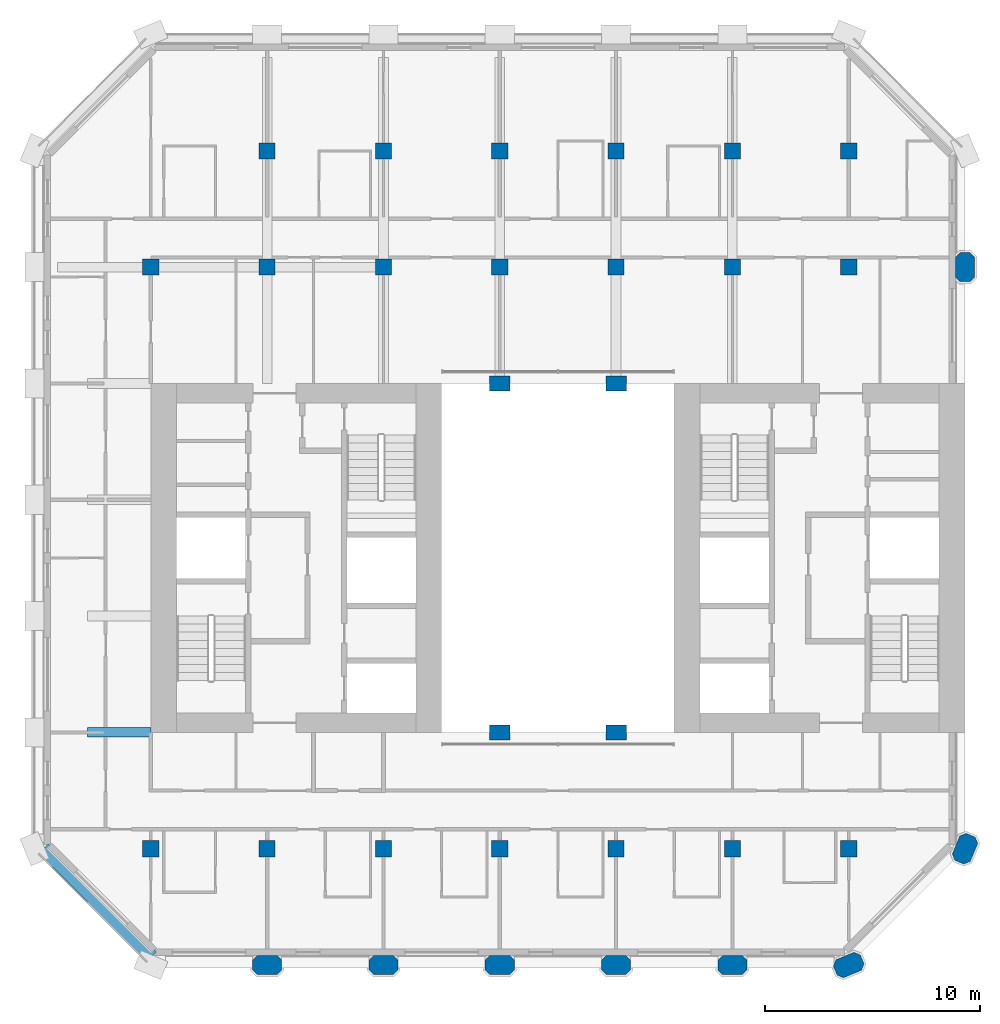
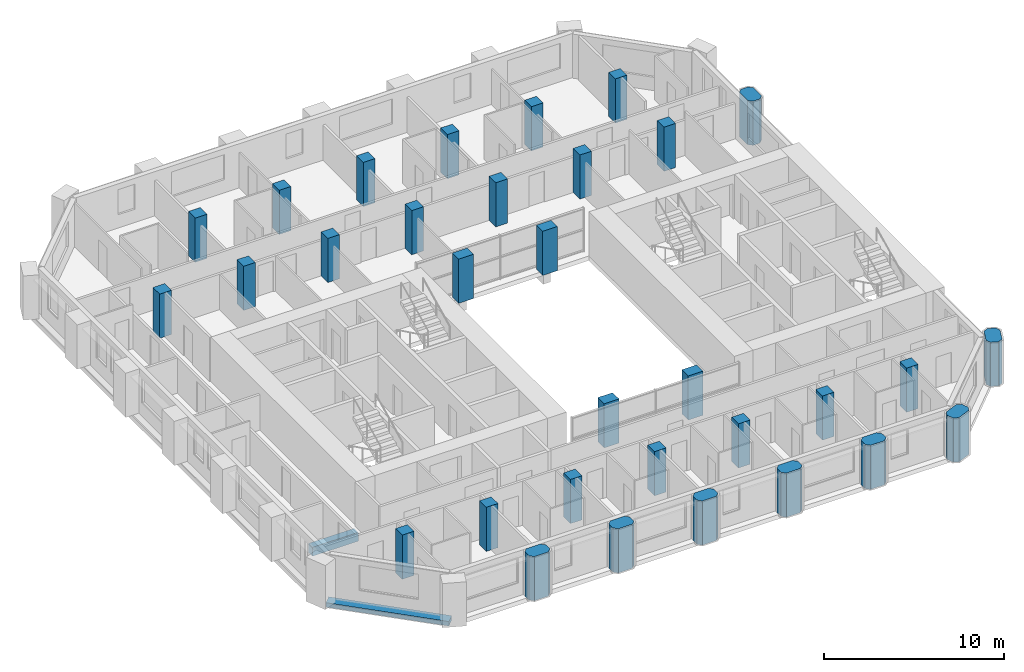
# One storey, part 1 of 14: 32 columns, 2 beams.
"""IFC4 building model written with IfcOpenShell, lengths in metres."""

import ifcopenshell
import ifcopenshell.guid

model = None  # the IFC model being written
_history = None  # IfcOwnerHistory: only IFC2X3 demands one
_inside = {}  # id of a spatial element -> (the spatial element, [elements in it])
_under = {}  # id of a project, library or spatial element -> (it, [spatial elements below it])
_declared = {}  # id of a project -> (the project, [libraries it declares])
_typed = {}  # id of a type object -> (the type object, [elements of that type])
_made_of = {}  # id of a material, layer set ... -> (it, [elements and type objects made of it])


def new_model(schema):
    """Start an empty IFC model of exactly this schema.

    Asked for "IFC4X3", IfcOpenShell would pick the latest addendum, in which some entities
    have other attributes; the version numbers below select the first issue.
    IFC2X3 requires an IfcOwnerHistory on every rooted entity: one is made here for all.
    """
    global model, _history
    if schema == "IFC4X3":
        model = ifcopenshell.file(schema_version=(4, 3, 0, 0))
    else:
        model = ifcopenshell.file(schema=schema)
    _inside.clear()
    _under.clear()
    _declared.clear()
    _typed.clear()
    _made_of.clear()
    _history = None
    if model.schema == "IFC2X3":
        org = make("IfcOrganization", Name="unknown")
        user = make(
            "IfcPersonAndOrganization",
            ThePerson=make("IfcPerson", FamilyName="unknown"),
            TheOrganization=org,
        )
        app = make(
            "IfcApplication",
            ApplicationDeveloper=org,
            Version="unknown",
            ApplicationFullName="unknown",
            ApplicationIdentifier="unknown",
        )
        _history = make(
            "IfcOwnerHistory",
            OwningUser=user,
            OwningApplication=app,
            ChangeAction="ADDED",
            CreationDate=0,
        )
    return model


def make(cls, **values):
    """One entity of the class cls with the attributes given. An attribute that is None is left unset."""
    return model.create_entity(
        cls, **{name: value for name, value in values.items() if value is not None}
    )


def rooted(cls, **values):
    """An entity with a GlobalId (a new one), such as an element, a storey or a relation."""
    return make(cls, GlobalId=ifcopenshell.guid.new(), OwnerHistory=_history, **values)


def si_unit(unit_type, name, prefix=None):
    """IfcSIUnit, for example si_unit("LENGTHUNIT", "METRE", prefix="MILLI")."""
    return make("IfcSIUnit", UnitType=unit_type, Prefix=prefix, Name=name)


def assignment(units):
    """IfcUnitAssignment: the units of a project."""
    return None if units is None else make("IfcUnitAssignment", Units=units)


def point(xyz):
    """IfcCartesianPoint."""
    return None if xyz is None else make("IfcCartesianPoint", Coordinates=xyz)


def direction(xyz):
    """IfcDirection."""
    return None if xyz is None else make("IfcDirection", DirectionRatios=xyz)


def frame(location, z_axis=None, x_axis=None):
    """IfcAxis2Placement3D, a coordinate frame: its origin and axes. An axis left out is left unset."""
    return make(
        "IfcAxis2Placement3D",
        Location=point(location),
        Axis=direction(z_axis),
        RefDirection=direction(x_axis),
    )


def frame_2d(location, x_axis=None):
    """IfcAxis2Placement2D, a coordinate frame in the plane: its origin and x axis."""
    return make(
        "IfcAxis2Placement2D", Location=point(location), RefDirection=direction(x_axis)
    )


def origin():
    """The frame at (0, 0, 0) with its axes left unset."""
    return frame((0.0, 0.0, 0.0))


def origin_2d():
    """The frame at (0, 0) in the plane with its x axis left unset."""
    return frame_2d((0.0, 0.0))


def place(relative_to, where):
    """IfcLocalPlacement: puts the frame where relative to a parent placement (None: the world)."""
    return make(
        "IfcLocalPlacement", PlacementRelTo=relative_to, RelativePlacement=where
    )


def context(
    kind, dimensions, precision=None, world=None, true_north=None, identifier=None
):
    """IfcGeometricRepresentationContext, for example the 3D "Model" context."""
    return make(
        "IfcGeometricRepresentationContext",
        ContextIdentifier=identifier,
        ContextType=kind,
        CoordinateSpaceDimension=dimensions,
        Precision=precision,
        WorldCoordinateSystem=world,
        TrueNorth=true_north,
    )


def subcontext(parent, identifier, kind, view, scale=None):
    """IfcGeometricRepresentationSubContext, for example "Body" below "Model"."""
    return make(
        "IfcGeometricRepresentationSubContext",
        ContextIdentifier=identifier,
        ContextType=kind,
        ParentContext=parent,
        TargetScale=scale,
        TargetView=view,
    )


def project(units=None, contexts=None):
    """IfcProject with its units and contexts."""
    return rooted(
        "IfcProject",
        Name="project",
        RepresentationContexts=contexts,
        UnitsInContext=assignment(units),
    )


def spatial(cls, under=None, at=None, **own):
    """A site, building, storey or space (cls), placed at a placement, below another one or the project."""
    s = rooted(cls, ObjectPlacement=at, **own)
    if under is not None:
        _under.setdefault(under.id(), (under, []))[1].append(s)
    return s


def polyline(points):
    """IfcPolyline through the points."""
    return make("IfcPolyline", Points=[point(p) for p in points])


def profile(cls, at=None, kind="AREA", **sizes):
    """A parametric profile (cls). Its sizes go by their IFC names, for example OverallWidth=200.0."""
    return make(cls, ProfileType=kind, Position=at, **sizes)


def rectangle(**sizes):
    """IfcRectangleProfileDef."""
    return profile("IfcRectangleProfileDef", **sizes)


def outline(outer, holes=None, kind="AREA"):
    """IfcArbitraryClosedProfileDef: a profile drawn as a closed curve; with holes, ...WithVoids."""
    if holes is None:
        return make("IfcArbitraryClosedProfileDef", ProfileType=kind, OuterCurve=outer)
    return make(
        "IfcArbitraryProfileDefWithVoids",
        ProfileType=kind,
        OuterCurve=outer,
        InnerCurves=holes,
    )


def extrude(swept, where, along, depth):
    """IfcExtrudedAreaSolid: the profile swept, set in the frame where, extruded along a direction by depth."""
    return make(
        "IfcExtrudedAreaSolid",
        SweptArea=swept,
        Position=where,
        ExtrudedDirection=direction(along),
        Depth=depth,
    )


def shape(context_of_items, identifier, shape_type, items):
    """IfcShapeRepresentation: the items that make up one representation, for example the "Body"."""
    return make(
        "IfcShapeRepresentation",
        ContextOfItems=context_of_items,
        RepresentationIdentifier=identifier,
        RepresentationType=shape_type,
        Items=items,
    )


def material(Name=None, Category=None):
    """IfcMaterial."""
    return make("IfcMaterial", Name=Name, Category=Category)


def material_profile(
    of_material, cross_section, Name=None, Category=None, Priority=None
):
    """IfcMaterialProfile: a cross section and its material."""
    return make(
        "IfcMaterialProfile",
        Name=Name,
        Material=of_material,
        Profile=cross_section,
        Priority=Priority,
        Category=Category,
    )


def profile_set(profiles, Name=None, composite=None):
    """IfcMaterialProfileSet."""
    return make(
        "IfcMaterialProfileSet",
        Name=Name,
        MaterialProfiles=profiles,
        CompositeProfile=composite,
    )


def made_of(thing, what):
    """Note that an element or type object is made of a material, layer set ...; save() writes the relation."""
    if what is not None:
        _made_of.setdefault(what.id(), (what, []))[1].append(thing)
    return thing


def type_object(cls, material=None, **own):
    """A type object (cls), such as IfcWallType, which elements share."""
    return made_of(rooted(cls, **own), material)


def element(
    cls,
    number,
    at=None,
    inside=None,
    cuts=None,
    type_object=None,
    material=None,
    context=None,
    identifier="Body",
    shape_type=None,
    held_by="IfcProductDefinitionShape",
    body=None,
    shapes=None,
    **own,
):
    """One element of the class cls, such as IfcWall. Its Tag is "e" and its number.

    at: its placement. inside: the storey or other place that contains it. cuts: it is an
    opening in that element (IfcRelVoidsElement). A single representation is given by context,
    identifier, shape_type and body (its items); several are given by shapes. held_by: the class
    of the entity that holds the representations. save() writes the other relations.
    """
    e = rooted(cls, Tag="e%d" % number, ObjectPlacement=at, **own)
    if body is not None:
        shapes = [shape(context, identifier, shape_type, body)]
    if shapes is not None:
        e.Representation = make(held_by, Representations=shapes)
    if inside is not None:
        _inside.setdefault(inside.id(), (inside, []))[1].append(e)
    if cuts is not None:
        rooted(
            "IfcRelVoidsElement", RelatingBuildingElement=cuts, RelatedOpeningElement=e
        )
    if type_object is not None:
        _typed.setdefault(type_object.id(), (type_object, []))[1].append(e)
    return made_of(e, material)


def aggregate(whole, parts):
    """IfcRelAggregates: a whole, such as a stair, and the parts it consists of."""
    return rooted("IfcRelAggregates", RelatingObject=whole, RelatedObjects=parts)


def save(model, path):
    """Write the relations noted so far, then the file.

    IfcRelAggregates (storeys below a building ...), IfcRelContainedInSpatialStructure (elements
    in a storey), IfcRelDefinesByType, IfcRelAssociatesMaterial and IfcRelDeclares: one each for
    every whole, place, type object, material and project.
    """
    for whole, parts in _under.values():
        aggregate(whole, parts)
    for where, things in _inside.values():
        rooted(
            "IfcRelContainedInSpatialStructure",
            RelatedElements=things,
            RelatingStructure=where,
        )
    for kind, things in _typed.values():
        rooted("IfcRelDefinesByType", RelatedObjects=things, RelatingType=kind)
    for what, things in _made_of.values():
        rooted("IfcRelAssociatesMaterial", RelatedObjects=things, RelatingMaterial=what)
    for by, libraries in _declared.values():
        rooted("IfcRelDeclares", RelatingContext=by, RelatedDefinitions=libraries)
    model.write(path)


model = new_model("IFC4")

# Units and contexts
model_context = context("Model", 3, precision=1e-05, world=origin(), true_north=direction((0.0, 1.0)))
body_context = subcontext(model_context, "Body", "Model", "MODEL_VIEW")
ifc_project = project(units=[si_unit("LENGTHUNIT", "METRE"), si_unit("AREAUNIT", "SQUARE_METRE"), si_unit("VOLUMEUNIT", "CUBIC_METRE"), si_unit("PLANEANGLEUNIT", "RADIAN"), si_unit("MASSUNIT", "GRAM", prefix="KILO")], contexts=[model_context])

# Site, building, storey
site_placement = place(None, origin())
site = spatial("IfcSite", under=ifc_project, at=site_placement, CompositionType="ELEMENT")
building_placement = place(site_placement, origin())
building = spatial("IfcBuilding", under=site, at=building_placement, Name="Tabaq Tower and Sports Hall", CompositionType="ELEMENT")
storey_placement = place(building_placement, frame((0.0, 0.0, 213.699951171875)))
storey = spatial("IfcBuildingStorey", under=building, at=storey_placement, Name="L53", CompositionType="ELEMENT", Elevation=213.699951171875)

# Columns
ifc_material_1 = material(Name="Concrete C50/60", Category="concrete")
ifc_material_profile_1 = material_profile(ifc_material_1, rectangle(XDim=0.949951171875, YDim=0.699951171875, at=origin_2d()), Name="ATRIUM COLUMN 950x700")
ifc_profile_set_1 = profile_set([ifc_material_profile_1], Name="Concrete C50/60")
column_type_1 = type_object("IfcColumnType", Name="RC COLUMN ATRIUM COLUMN 950x700 C50/60", PredefinedType="COLUMN", material=ifc_profile_set_1)
for number, where, z_axis, x_axis, name in (
    (1, (21.60009765625, 16.199951171875, 0.0), (0.0, 0.0, 1.0), (1.0, 0.0, 0.0), "Atrium Column 5/D L53"),
    (2, (27.0, 16.199951171875, 0.0), (0.0, 0.0, 1.0), (1.0, 0.0, 0.0), "Atrium Column 6/D L53"),
    (3, (21.60009765625, 32.39990234375, 0.0), (0.0, 0.0, 1.0), (1.0, 0.0, 0.0), "Atrium Column 5/G L53"),
    (4, (27.0, 32.39990234375, 0.0), (0.0, 0.0, 1.0), (1.0, 0.0, 0.0), "Atrium Column 6/G L53"),
):
    element("IfcColumn", number, at=place(storey_placement, frame(where, z_axis=z_axis, x_axis=x_axis)), inside=storey, type_object=column_type_1, Name=name, PredefinedType="COLUMN", context=body_context, shape_type="SweptSolid", body=[
        extrude(rectangle(XDim=0.949951171875, YDim=0.699951171875, at=origin_2d()), origin(), (0.0, 0.0, 1.0), 3.0),
    ])
ifc_material_2 = material(Name="Concrete C50/60", Category="concrete")
ifc_material_profile_2 = material_profile(ifc_material_2, rectangle(XDim=0.75, YDim=0.75, at=origin_2d()), Name="COLUMN 750x750")
ifc_profile_set_2 = profile_set([ifc_material_profile_2], Name="Concrete C50/60")
column_type_2 = type_object("IfcColumnType", Name="RC COLUMN COLUMN 750x750 C50/60", PredefinedType="COLUMN", material=ifc_profile_set_2)
for number, where, z_axis, x_axis, name in (
    (5, (5.39990234375, 10.800048828125, 0.0), (0.0, 0.0, 1.0), (1.0, 0.0, 0.0), "Column 2/C L53"),
    (6, (10.800048828125, 10.800048828125, 0.0), (0.0, 0.0, 1.0), (1.0, 0.0, 0.0), "Column 3/C L53"),
    (7, (16.199951171875, 10.800048828125, 0.0), (0.0, 0.0, 1.0), (1.0, 0.0, 0.0), "Column 4/C L53"),
    (8, (21.60009765625, 10.800048828125, 0.0), (0.0, 0.0, 1.0), (1.0, 0.0, 0.0), "Column 5/C L53"),
    (9, (27.0, 10.800048828125, 0.0), (0.0, 0.0, 1.0), (1.0, 0.0, 0.0), "Column 6/C L53"),
    (10, (32.39990234375, 10.800048828125, 0.0), (0.0, 0.0, 1.0), (1.0, 0.0, 0.0), "Column 7/C L53"),
    (11, (37.800048828125, 10.800048828125, 0.0), (0.0, 0.0, 1.0), (1.0, 0.0, 0.0), "Column 8/C L53"),
    (12, (5.39990234375, 37.800048828125, 0.0), (0.0, 0.0, 1.0), (1.0, 0.0, 0.0), "Column 2/H L53"),
    (13, (10.800048828125, 37.800048828125, 0.0), (0.0, 0.0, 1.0), (1.0, 0.0, 0.0), "Column 3/H L53"),
    (14, (16.199951171875, 37.800048828125, 0.0), (0.0, 0.0, 1.0), (1.0, 0.0, 0.0), "Column 4/H L53"),
    (15, (21.60009765625, 37.800048828125, 0.0), (0.0, 0.0, 1.0), (1.0, 0.0, 0.0), "Column 5/H L53"),
    (16, (27.0, 37.800048828125, 0.0), (0.0, 0.0, 1.0), (1.0, 0.0, 0.0), "Column 6/H L53"),
    (17, (32.39990234375, 37.800048828125, 0.0), (0.0, 0.0, 1.0), (1.0, 0.0, 0.0), "Column 7/H L53"),
    (18, (37.800048828125, 37.800048828125, 0.0), (0.0, 0.0, 1.0), (1.0, 0.0, 0.0), "Column 8/H L53"),
    (19, (10.800048828125, 43.199951171875, 0.0), (0.0, 0.0, 1.0), (1.0, 0.0, 0.0), "Column 3/I L53"),
    (20, (16.199951171875, 43.199951171875, 0.0), (0.0, 0.0, 1.0), (1.0, 0.0, 0.0), "Column 4/I L53"),
    (21, (21.60009765625, 43.199951171875, 0.0), (0.0, 0.0, 1.0), (1.0, 0.0, 0.0), "Column 5/I L53"),
    (22, (27.0, 43.199951171875, 0.0), (0.0, 0.0, 1.0), (1.0, 0.0, 0.0), "Column 6/I L53"),
    (23, (32.39990234375, 43.199951171875, 0.0), (0.0, 0.0, 1.0), (1.0, 0.0, 0.0), "Column 7/I L53"),
    (24, (37.800048828125, 43.199951171875, 0.0), (0.0, 0.0, 1.0), (1.0, 0.0, 0.0), "Column 8/I L53"),
):
    element("IfcColumn", number, at=place(storey_placement, frame(where, z_axis=z_axis, x_axis=x_axis)), inside=storey, type_object=column_type_2, Name=name, PredefinedType="COLUMN", context=body_context, shape_type="SweptSolid", body=[
        extrude(rectangle(XDim=0.75, YDim=0.75, at=origin_2d()), origin(), (0.0, 0.0, 1.0), 3.0),
    ])
ifc_material_3 = material(Name="Concrete C50/60", Category="concrete")
ifc_material_profile_3 = material_profile(ifc_material_3, outline(polyline([(-0.449951171875, -0.449951171875), (0.449951171875, -0.449951171875), (0.675048828125, -0.22509765625), (0.675048828125, 0.22509765625), (0.449951171875, 0.449951171875), (-0.449951171875, 0.449951171875), (-0.675048828125, 0.22509765625), (-0.675048828125, -0.22509765625), (-0.449951171875, -0.449951171875)])), Name="PIER 1350x900")
ifc_profile_set_3 = profile_set([ifc_material_profile_3], Name="Concrete C50/60")
column_type_3 = type_object("IfcColumnType", Name="RC COLUMN PIER 1350x900 C50/60", PredefinedType="COLUMN", material=ifc_profile_set_3)
for number, where, z_axis, x_axis, name in (
    (25, (10.800048828125, 5.39990234375, 0.0), (0.0, 0.0, 1.0), (1.0, 0.0, 0.0), "Pier 3/B L53"),
    (26, (16.199951171875, 5.39990234375, 0.0), (0.0, 0.0, 1.0), (1.0, 0.0, 0.0), "Pier 4/B L53"),
    (27, (21.60009765625, 5.39990234375, 0.0), (0.0, 0.0, 1.0), (1.0, 0.0, 0.0), "Pier 5/B L53"),
    (28, (27.0, 5.39990234375, 0.0), (0.0, 0.0, 1.0), (1.0, 0.0, 0.0), "Pier 6/B L53"),
    (29, (32.39990234375, 5.39990234375, 0.0), (0.0, 0.0, 1.0), (1.0, 0.0, 0.0), "Pier 7/B L53"),
    (30, (37.800048828125, 5.39990234375, 0.0), (0.0, 0.0, 1.0), (0.923879532511, 0.382683432365, 0.0), "Pier 8/B L53"),
    (31, (43.199951171875, 10.800048828125, 0.0), (0.0, 0.0, 1.0), (0.382683432365, 0.923879532511, 0.0), "Pier 9/C L53"),
    (32, (43.199951171875, 37.800048828125, 0.0), (0.0, 0.0, 1.0), (0.0, 1.0, 0.0), "Pier 9/H L53"),
):
    element("IfcColumn", number, at=place(storey_placement, frame(where, z_axis=z_axis, x_axis=x_axis)), inside=storey, type_object=column_type_3, Name=name, PredefinedType="COLUMN", context=body_context, shape_type="SweptSolid", body=[
        extrude(outline(polyline([(-0.449951171875, -0.449951171875), (0.449951171875, -0.449951171875), (0.675048828125, -0.22509765625), (0.675048828125, 0.22509765625), (0.449951171875, 0.449951171875), (-0.449951171875, 0.449951171875), (-0.675048828125, 0.22509765625), (-0.675048828125, -0.22509765625), (-0.449951171875, -0.449951171875)])), origin(), (0.0, 0.0, 1.0), 3.0),
    ])

# Beams
ifc_material_4 = material(Name="Concrete C40/50", Category="concrete")
ifc_material_profile_4 = material_profile(ifc_material_4, rectangle(XDim=0.449951171875, YDim=0.60009765625, at=origin_2d()), Name="CB 450x600")
ifc_profile_set_4 = profile_set([ifc_material_profile_4], Name="Concrete C40/50")
beam_type_1 = type_object("IfcBeamType", Name="PT CANTILEVER BEAM CB 450x600 C40/50", PredefinedType="BEAM", material=ifc_profile_set_4)
beam_1_placement = place(storey_placement, frame((2.449951171875, 16.199951171875, -0.599853515625), z_axis=(1.0, 0.0, 0.0), x_axis=(0.0, 1.0, 0.0)))
element("IfcBeam", 33, at=beam_1_placement, inside=storey, type_object=beam_type_1, Name="Cantilever Beam L53 W3 span 1", PredefinedType="BEAM", context=body_context, shape_type="SweptSolid", body=[
    extrude(rectangle(XDim=0.449951171875, YDim=0.60009765625, at=origin_2d()), origin(), (0.0, 0.0, 1.0), 2.949951171875),
])
ifc_material_5 = material(Name="Concrete C40/50", Category="concrete")
ifc_material_profile_5 = material_profile(ifc_material_5, rectangle(XDim=0.60009765625, YDim=0.300048828125, at=origin_2d()), Name="EB 600x300")
ifc_profile_set_5 = profile_set([ifc_material_profile_5], Name="Concrete C40/50")
beam_type_2 = type_object("IfcBeamType", Name="PT EDGE BEAM EB 600x300 C40/50", PredefinedType="SPANDREL", material=ifc_profile_set_5)
beam_2_placement = place(storey_placement, frame((0.42333984375, 10.801025390625, -0.14990234375), z_axis=(0.707089559252, -0.707124002701, 0.0), x_axis=(0.707124002701, 0.707089559252, 0.0)))
element("IfcBeam", 34, at=beam_2_placement, inside=storey, type_object=beam_type_2, Name="Edge Beam L53 5", PredefinedType="SPANDREL", context=body_context, shape_type="SweptSolid", body=[
    extrude(rectangle(XDim=0.60009765625, YDim=0.300048828125, at=origin_2d()), origin(), (0.0, 0.0, 1.0), 7.088134765625),
])

save(model, "model.ifc")
